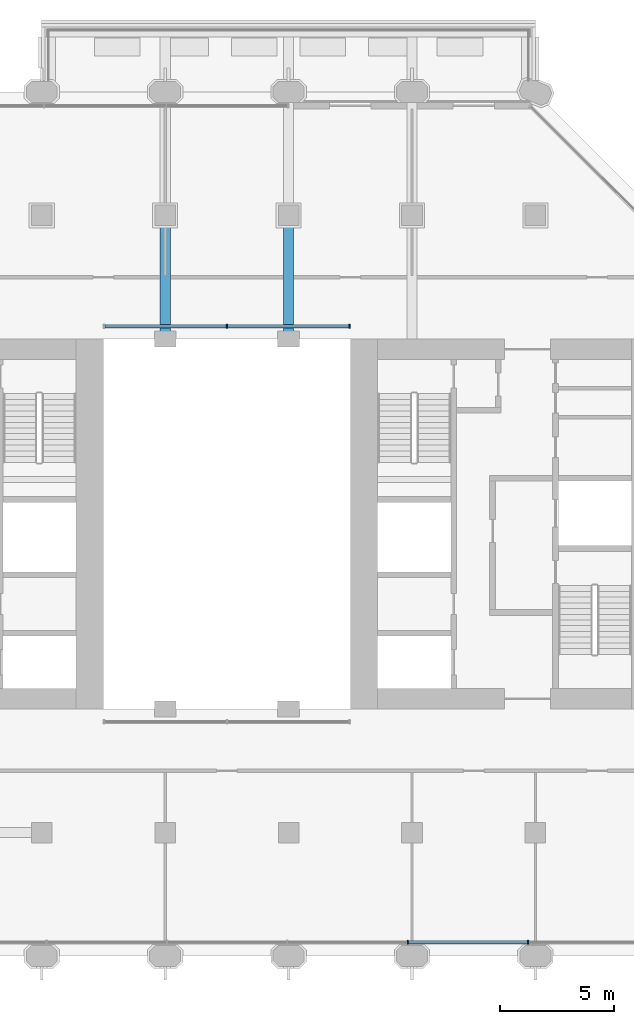
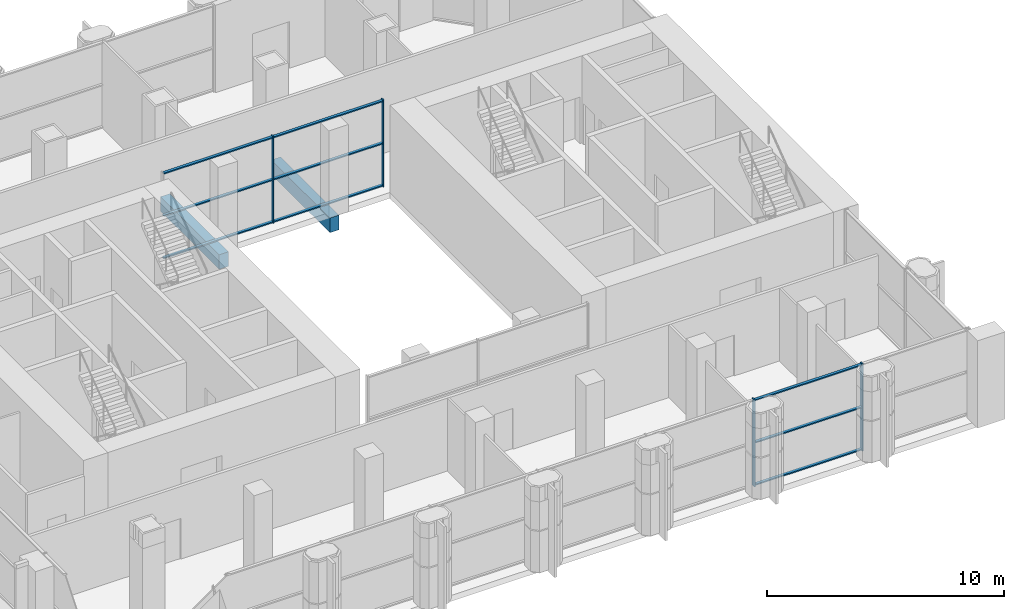
# One storey, part 5 of 15: 13 members, 2 beams, 2 elements without a shape of their own.
"""IFC4 building model written with IfcOpenShell, lengths in metres."""

from ifc_helpers import new_model, si_unit, direction, frame, origin, origin_2d, place, context, subcontext, project, spatial, rectangle, extrude, material, material_profile, profile_set, type_object, element, aggregate, save


model = new_model("IFC4")

# Units and contexts
model_context = context("Model", 3, precision=1e-05, world=origin(), true_north=direction((0.0, 1.0)))
body_context = subcontext(model_context, "Body", "Model", "MODEL_VIEW")
ifc_project = project(units=[si_unit("LENGTHUNIT", "METRE"), si_unit("AREAUNIT", "SQUARE_METRE"), si_unit("VOLUMEUNIT", "CUBIC_METRE"), si_unit("PLANEANGLEUNIT", "RADIAN"), si_unit("MASSUNIT", "GRAM", prefix="KILO")], contexts=[model_context])

# Site, building, storey
site_placement = place(None, origin())
site = spatial("IfcSite", under=ifc_project, at=site_placement, CompositionType="ELEMENT")
building_placement = place(site_placement, origin())
building = spatial("IfcBuilding", under=site, at=building_placement, Name="Tabaq Tower and Sports Hall", CompositionType="ELEMENT")
storey_placement = place(building_placement, frame((0.0, 0.0, 148.0)))
storey = spatial("IfcBuildingStorey", under=building, at=storey_placement, Name="L34", CompositionType="ELEMENT", Elevation=148.0)

# Curtain wall, members
ifc_material_1 = material(Name="Aluminium alloy 6063-T6 framed glazing", Category="aluminium")
curtain_wall_type_1 = type_object("IfcCurtainWallType", Name="CW1 curtain wall", PredefinedType="USERDEFINED", material=ifc_material_1)
curtain_wall_1_placement = place(storey_placement, origin())
curtain_wall_1 = element("IfcCurtainWall", 1, at=curtain_wall_1_placement, inside=storey, type_object=curtain_wall_type_1, Name="Atrium glazing L34 N", ObjectType="ATRIUM ENCLOSURE", PredefinedType="USERDEFINED")
ifc_material_2 = material(Name="Aluminium alloy 6063-T6", Category="aluminium")
ifc_material_profile_1 = material_profile(ifc_material_2, rectangle(XDim=0.159912109375, YDim=0.06005859375, at=origin_2d()), Name="MULLION 160x60")
ifc_profile_set_1 = profile_set([ifc_material_profile_1], Name="Aluminium alloy 6063-T6")
member_type_1 = type_object("IfcMemberType", Name="CW1 mullion 160x60", PredefinedType="MULLION", material=ifc_profile_set_1)
member_1_placement = place(storey_placement, frame((24.300048828125, 32.949951171875, 0.0), z_axis=(0.0, 0.0, 1.0), x_axis=(0.0, 1.0, 0.0)))
member_1 = element("IfcMember", 2, at=member_1_placement, type_object=member_type_1, Name="CW1 mullion 2", PredefinedType="MULLION", context=body_context, shape_type="SweptSolid", body=[
    extrude(rectangle(XDim=0.159912109375, YDim=0.06005859375, at=origin_2d()), origin(), (0.0, 0.0, 1.0), 4.5),
])
member_2_placement = place(storey_placement, frame((29.669921875, 32.949951171875, 0.0), z_axis=(0.0, 0.0, 1.0), x_axis=(0.0, 1.0, 0.0)))
member_2 = element("IfcMember", 3, at=member_2_placement, type_object=member_type_1, Name="CW1 mullion 3", PredefinedType="MULLION", context=body_context, shape_type="SweptSolid", body=[
    extrude(rectangle(XDim=0.159912109375, YDim=0.06005859375, at=origin_2d()), origin(), (0.0, 0.0, 1.0), 4.5),
])
ifc_material_3 = material(Name="Aluminium alloy 6063-T6", Category="aluminium")
ifc_material_profile_2 = material_profile(ifc_material_3, rectangle(XDim=0.139892578125, YDim=0.06005859375, at=origin_2d()), Name="TRANSOM 140x60")
ifc_profile_set_2 = profile_set([ifc_material_profile_2], Name="Aluminium alloy 6063-T6")
member_type_2 = type_object("IfcMemberType", Name="CW1 transom 140x60", PredefinedType="USERDEFINED", material=ifc_profile_set_2)
member_3_placement = place(storey_placement, frame((18.9599609375, 32.949951171875, 0.070068359375), z_axis=(1.0, 0.0, 0.0), x_axis=(0.0, 1.0, 0.0)))
member_3 = element("IfcMember", 4, at=member_3_placement, type_object=member_type_2, Name="CW1 transom 1.1", ObjectType="TRANSOM", PredefinedType="USERDEFINED", context=body_context, shape_type="SweptSolid", body=[
    extrude(rectangle(XDim=0.139892578125, YDim=0.06005859375, at=origin_2d()), origin(), (0.0, 0.0, 1.0), 5.31005859375),
])
member_4_placement = place(storey_placement, frame((18.9599609375, 32.949951171875, 2.25), z_axis=(1.0, 0.0, 0.0), x_axis=(0.0, 1.0, 0.0)))
member_4 = element("IfcMember", 5, at=member_4_placement, type_object=member_type_2, Name="CW1 transom 1.2", ObjectType="TRANSOM", PredefinedType="USERDEFINED", context=body_context, shape_type="SweptSolid", body=[
    extrude(rectangle(XDim=0.139892578125, YDim=0.06005859375, at=origin_2d()), origin(), (0.0, 0.0, 1.0), 5.31005859375),
])
member_5_placement = place(storey_placement, frame((18.9599609375, 32.949951171875, 4.429931640625), z_axis=(1.0, 0.0, 0.0), x_axis=(0.0, 1.0, 0.0)))
member_5 = element("IfcMember", 6, at=member_5_placement, type_object=member_type_2, Name="CW1 transom 1.3", ObjectType="TRANSOM", PredefinedType="USERDEFINED", context=body_context, shape_type="SweptSolid", body=[
    extrude(rectangle(XDim=0.139892578125, YDim=0.06005859375, at=origin_2d()), origin(), (0.0, 0.0, 1.0), 5.31005859375),
])
member_6_placement = place(storey_placement, frame((24.330078125, 32.949951171875, 0.070068359375), z_axis=(1.0, 0.0, 0.0), x_axis=(0.0, 1.0, 0.0)))
member_6 = element("IfcMember", 7, at=member_6_placement, type_object=member_type_2, Name="CW1 transom 2.1", ObjectType="TRANSOM", PredefinedType="USERDEFINED", context=body_context, shape_type="SweptSolid", body=[
    extrude(rectangle(XDim=0.139892578125, YDim=0.06005859375, at=origin_2d()), origin(), (0.0, 0.0, 1.0), 5.309814453125),
])
member_7_placement = place(storey_placement, frame((24.330078125, 32.949951171875, 2.25), z_axis=(1.0, 0.0, 0.0), x_axis=(0.0, 1.0, 0.0)))
member_7 = element("IfcMember", 8, at=member_7_placement, type_object=member_type_2, Name="CW1 transom 2.2", ObjectType="TRANSOM", PredefinedType="USERDEFINED", context=body_context, shape_type="SweptSolid", body=[
    extrude(rectangle(XDim=0.139892578125, YDim=0.06005859375, at=origin_2d()), origin(), (0.0, 0.0, 1.0), 5.309814453125),
])
member_8_placement = place(storey_placement, frame((24.330078125, 32.949951171875, 4.429931640625), z_axis=(1.0, 0.0, 0.0), x_axis=(0.0, 1.0, 0.0)))
member_8 = element("IfcMember", 9, at=member_8_placement, type_object=member_type_2, Name="CW1 transom 2.3", ObjectType="TRANSOM", PredefinedType="USERDEFINED", context=body_context, shape_type="SweptSolid", body=[
    extrude(rectangle(XDim=0.139892578125, YDim=0.06005859375, at=origin_2d()), origin(), (0.0, 0.0, 1.0), 5.309814453125),
])
aggregate(curtain_wall_1, [member_1, member_2, member_3, member_4, member_5, member_6, member_7, member_8])

ifc_material_4 = material(Name="Aluminium alloy 6063-T6 framed glazing", Category="aluminium")
curtain_wall_type_2 = type_object("IfcCurtainWallType", Name="CW3 curtain wall", PredefinedType="USERDEFINED", material=ifc_material_4)
curtain_wall_2_placement = place(storey_placement, origin())
curtain_wall_2 = element("IfcCurtainWall", 10, at=curtain_wall_2_placement, inside=storey, type_object=curtain_wall_type_2, Name="Garden Floor Wall L34 S", ObjectType="GARDEN FLOOR WALL", PredefinedType="USERDEFINED")
ifc_material_5 = material(Name="Aluminium alloy 6063-T6", Category="aluminium")
ifc_material_profile_3 = material_profile(ifc_material_5, rectangle(XDim=0.179931640625, YDim=0.06005859375, at=origin_2d()), Name="MULLION 180x60")
ifc_profile_set_3 = profile_set([ifc_material_profile_3], Name="Aluminium alloy 6063-T6")
member_type_3 = type_object("IfcMemberType", Name="CW3 mullion 180x60", PredefinedType="MULLION", material=ifc_profile_set_3)
member_9_placement = place(storey_placement, frame((32.21240234375, 6.0, 0.0), z_axis=(0.0, 0.0, 1.0), x_axis=(0.0, 1.0, 0.0)))
member_9 = element("IfcMember", 11, at=member_9_placement, type_object=member_type_3, Name="CW3 mullion 7", PredefinedType="MULLION", context=body_context, shape_type="SweptSolid", body=[
    extrude(rectangle(XDim=0.179931640625, YDim=0.06005859375, at=origin_2d()), origin(), (0.0, 0.0, 1.0), 4.5),
])
member_10_placement = place(storey_placement, frame((37.481201171875, 6.0, 0.0), z_axis=(0.0, 0.0, 1.0), x_axis=(0.0, 1.0, 0.0)))
member_10 = element("IfcMember", 12, at=member_10_placement, type_object=member_type_3, Name="CW3 mullion 8", PredefinedType="MULLION", context=body_context, shape_type="SweptSolid", body=[
    extrude(rectangle(XDim=0.179931640625, YDim=0.06005859375, at=origin_2d()), origin(), (0.0, 0.0, 1.0), 4.5),
])
ifc_material_6 = material(Name="Aluminium alloy 6063-T6", Category="aluminium")
ifc_material_profile_4 = material_profile(ifc_material_6, rectangle(XDim=0.139892578125, YDim=0.06005859375, at=origin_2d()), Name="TRANSOM 140x60")
ifc_profile_set_4 = profile_set([ifc_material_profile_4], Name="Aluminium alloy 6063-T6")
member_type_4 = type_object("IfcMemberType", Name="CW3 transom 140x60", PredefinedType="USERDEFINED", material=ifc_profile_set_4)
member_11_placement = place(storey_placement, frame((32.242431640625, 6.0, 0.070068359375), z_axis=(1.0, 0.0, 0.0), x_axis=(0.0, 1.0, 0.0)))
member_11 = element("IfcMember", 13, at=member_11_placement, type_object=member_type_4, Name="CW3 transom 7.1", ObjectType="TRANSOM", PredefinedType="USERDEFINED", context=body_context, shape_type="SweptSolid", body=[
    extrude(rectangle(XDim=0.139892578125, YDim=0.06005859375, at=origin_2d()), origin(), (0.0, 0.0, 1.0), 5.208740234375),
])
member_12_placement = place(storey_placement, frame((32.242431640625, 6.0, 2.25), z_axis=(1.0, 0.0, 0.0), x_axis=(0.0, 1.0, 0.0)))
member_12 = element("IfcMember", 14, at=member_12_placement, type_object=member_type_4, Name="CW3 transom 7.2", ObjectType="TRANSOM", PredefinedType="USERDEFINED", context=body_context, shape_type="SweptSolid", body=[
    extrude(rectangle(XDim=0.139892578125, YDim=0.06005859375, at=origin_2d()), origin(), (0.0, 0.0, 1.0), 5.208740234375),
])
member_13_placement = place(storey_placement, frame((32.242431640625, 6.0, 4.429931640625), z_axis=(1.0, 0.0, 0.0), x_axis=(0.0, 1.0, 0.0)))
member_13 = element("IfcMember", 15, at=member_13_placement, type_object=member_type_4, Name="CW3 transom 7.3", ObjectType="TRANSOM", PredefinedType="USERDEFINED", context=body_context, shape_type="SweptSolid", body=[
    extrude(rectangle(XDim=0.139892578125, YDim=0.06005859375, at=origin_2d()), origin(), (0.0, 0.0, 1.0), 5.208740234375),
])
aggregate(curtain_wall_2, [member_9, member_10, member_11, member_12, member_13])

# Beams
ifc_material_7 = material(Name="Concrete C40/50", Category="concrete")
ifc_material_profile_5 = material_profile(ifc_material_7, rectangle(XDim=0.449951171875, YDim=0.75, at=origin_2d()), Name="CB 450x750")
ifc_profile_set_5 = profile_set([ifc_material_profile_5], Name="Concrete C40/50")
beam_type = type_object("IfcBeamType", Name="PT CANTILEVER BEAM CB 450x750 C40/50", PredefinedType="BEAM", material=ifc_profile_set_5)
for number, where, z_axis, x_axis, name in (
    (16, (27.0, 37.35009765625, -0.675048828125), (0.0, -1.0, 0.0), (1.0, 0.0, 0.0), "Tray Cantilever Beam L34 T2 span 3"),
    (17, (21.60009765625, 37.35009765625, -0.675048828125), (0.0, -1.0, 0.0), (1.0, 0.0, 0.0), "Tray Cantilever Beam L34 T3 span 3"),
):
    element("IfcBeam", number, at=place(storey_placement, frame(where, z_axis=z_axis, x_axis=x_axis)), inside=storey, type_object=beam_type, Name=name, PredefinedType="BEAM", context=body_context, shape_type="SweptSolid", body=[
        extrude(rectangle(XDim=0.449951171875, YDim=0.75, at=origin_2d()), origin(), (0.0, 0.0, 1.0), 4.9501953125),
    ])

save(model, "model.ifc")
